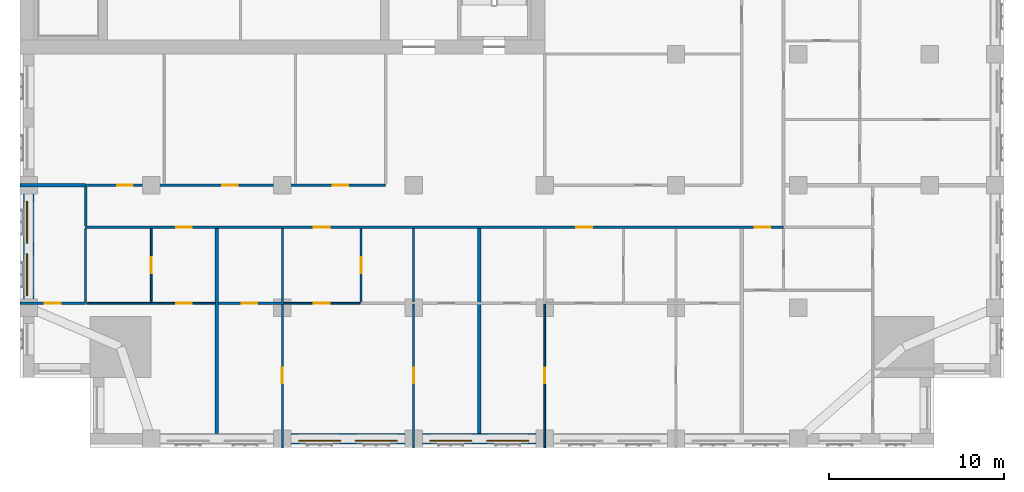
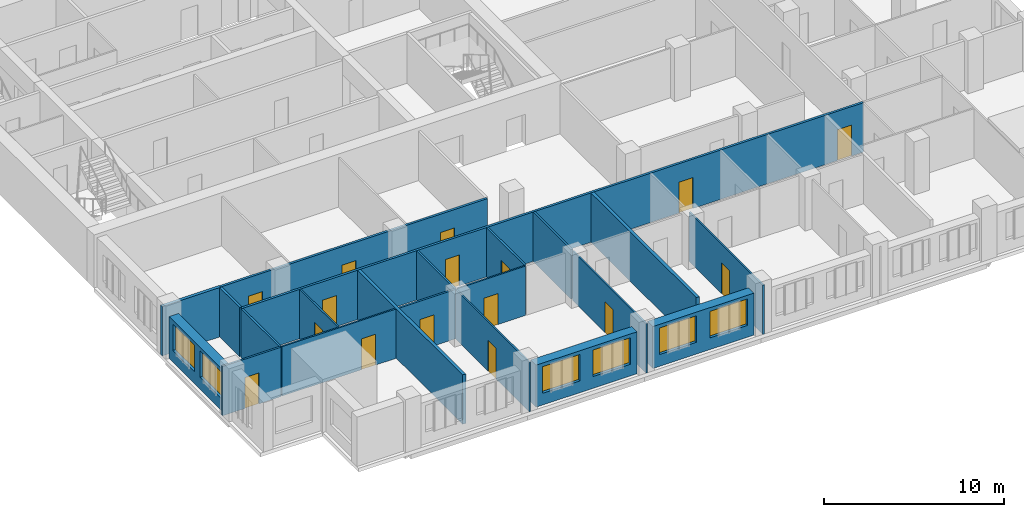
# One storey, part 4 of 13: 21 walls, 16 doors, 6 windows, 22 openings.
"""IFC4 building model written with IfcOpenShell, lengths in metres."""

from ifc_helpers import new_model, si_unit, direction, frame, frame_2d, origin, place, context, subcontext, project, spatial, rectangle, extrude, material, layer, layer_set, type_object, element, fill, save


model = new_model("IFC4")

# Units and contexts
model_context = context("Model", 3, precision=1e-05, world=origin(), true_north=direction((0.0, 1.0)))
body_context = subcontext(model_context, "Body", "Model", "MODEL_VIEW")
ifc_project = project(units=[si_unit("LENGTHUNIT", "METRE"), si_unit("AREAUNIT", "SQUARE_METRE"), si_unit("VOLUMEUNIT", "CUBIC_METRE"), si_unit("PLANEANGLEUNIT", "RADIAN"), si_unit("MASSUNIT", "GRAM", prefix="KILO")], contexts=[model_context])

# Site, building, storey
site_placement = place(None, origin())
site = spatial("IfcSite", under=ifc_project, at=site_placement, CompositionType="ELEMENT")
building_placement = place(site_placement, origin())
building = spatial("IfcBuilding", under=site, at=building_placement, Name="Tamorin Gate", CompositionType="ELEMENT")
storey_placement = place(building_placement, frame((0.0, 0.0, 159.0)))
storey = spatial("IfcBuildingStorey", under=building, at=storey_placement, Name="L39", CompositionType="ELEMENT", Elevation=159.0)

# Wall, openings, windows
ifc_material_1 = material(Name="Precast concrete C40/50", Category="concrete")
ifc_layer_1 = layer(ifc_material_1, 0.60009765625)
ifc_layer_set_1 = layer_set([ifc_layer_1], Name="Precast concrete C40/50")
wall_type_1 = type_object("IfcWallType", Name="Board-marked concrete facade panel 600", PredefinedType="SOLIDWALL", material=ifc_layer_set_1)
wall_1_placement = place(storey_placement, frame((45.5, 38.0, 0.0), z_axis=(0.0, 0.0, 1.0), x_axis=(1.0, 0.0, 0.0)))
wall_1 = element("IfcWall", 1, at=wall_1_placement, inside=storey, type_object=wall_type_1, Name="Facade panel", PredefinedType="SOLIDWALL", context=body_context, shape_type="SweptSolid", body=[
    extrude(rectangle(XDim=6.5, YDim=0.60009765625, at=frame_2d((3.25, 0.0))), origin(), (0.0, 0.0, 1.0), 2.85009765625),
])
opening_1_placement = place(wall_1_placement, frame((0.425048828125, 0.0, 0.800048828125)))
opening_1 = element("IfcOpeningElement", 2, at=opening_1_placement, cuts=wall_1, Name="Opening WN1", PredefinedType="OPENING", context=body_context, shape_type="SweptSolid", body=[
    extrude(rectangle(XDim=2.39990234375, YDim=1.800048828125, at=frame_2d((1.199951171875, 0.89990234375))), frame((0.0, 0.31005859375, 0.0), z_axis=(0.0, -1.0, 0.0), x_axis=(1.0, 0.0, 0.0)), (0.0, 0.0, 1.0), 0.6201171875),
])
opening_2_placement = place(wall_1_placement, frame((3.675048828125, 0.0, 0.800048828125)))
opening_2 = element("IfcOpeningElement", 3, at=opening_2_placement, cuts=wall_1, Name="Opening WN1", PredefinedType="OPENING", context=body_context, shape_type="SweptSolid", body=[
    extrude(rectangle(XDim=2.39990234375, YDim=1.800048828125, at=frame_2d((1.199951171875, 0.89990234375))), frame((0.0, 0.31005859375, 0.0), z_axis=(0.0, -1.0, 0.0), x_axis=(1.0, 0.0, 0.0)), (0.0, 0.0, 1.0), 0.6201171875),
])
ifc_material_2 = material(Name="Clear glass in aluminium frame", Category="aluminium")
window_type = type_object("IfcWindowType", Name="Deep-set window 2400x1800", PartitioningType="SINGLE_PANEL", PredefinedType="WINDOW", material=ifc_material_2)
window_1_placement = place(opening_1_placement, origin())
window_1 = element("IfcWindow", 4, at=window_1_placement, inside=storey, type_object=window_type, Name="Deep-set window", OverallHeight=1.800048828125, OverallWidth=2.39990234375, PartitioningType="SINGLE_PANEL", PredefinedType="WINDOW", context=body_context, shape_type="SweptSolid", body=[
    extrude(rectangle(XDim=2.39990234375, YDim=1.800048828125, at=frame_2d((1.199951171875, 0.89990234375))), frame((0.0, -0.070068359375, 0.0), z_axis=(0.0, -1.0, 0.0), x_axis=(1.0, 0.0, 0.0)), (0.0, 0.0, 1.0), 0.06005859375),
])
fill(opening_1, window_1)
window_2_placement = place(opening_2_placement, origin())
window_2 = element("IfcWindow", 5, at=window_2_placement, inside=storey, type_object=window_type, Name="Deep-set window", OverallHeight=1.800048828125, OverallWidth=2.39990234375, PartitioningType="SINGLE_PANEL", PredefinedType="WINDOW", context=body_context, shape_type="SweptSolid", body=[
    extrude(rectangle(XDim=2.39990234375, YDim=1.800048828125, at=frame_2d((1.199951171875, 0.89990234375))), frame((0.0, -0.070068359375, 0.0), z_axis=(0.0, -1.0, 0.0), x_axis=(1.0, 0.0, 0.0)), (0.0, 0.0, 1.0), 0.06005859375),
])
fill(opening_2, window_2)

wall_2_placement = place(storey_placement, frame((53.0, 38.0, 0.0), z_axis=(0.0, 0.0, 1.0), x_axis=(1.0, 0.0, 0.0)))
wall_2 = element("IfcWall", 6, at=wall_2_placement, inside=storey, type_object=wall_type_1, Name="Facade panel", PredefinedType="SOLIDWALL", context=body_context, shape_type="SweptSolid", body=[
    extrude(rectangle(XDim=6.5, YDim=0.60009765625, at=frame_2d((3.25, 0.0))), origin(), (0.0, 0.0, 1.0), 2.85009765625),
])
opening_3_placement = place(wall_2_placement, frame((0.425048828125, 0.0, 0.800048828125)))
opening_3 = element("IfcOpeningElement", 7, at=opening_3_placement, cuts=wall_2, Name="Opening WN1", PredefinedType="OPENING", context=body_context, shape_type="SweptSolid", body=[
    extrude(rectangle(XDim=2.39990234375, YDim=1.800048828125, at=frame_2d((1.199951171875, 0.89990234375))), frame((0.0, 0.31005859375, 0.0), z_axis=(0.0, -1.0, 0.0), x_axis=(1.0, 0.0, 0.0)), (0.0, 0.0, 1.0), 0.6201171875),
])
opening_4_placement = place(wall_2_placement, frame((3.675048828125, 0.0, 0.800048828125)))
opening_4 = element("IfcOpeningElement", 8, at=opening_4_placement, cuts=wall_2, Name="Opening WN1", PredefinedType="OPENING", context=body_context, shape_type="SweptSolid", body=[
    extrude(rectangle(XDim=2.39990234375, YDim=1.800048828125, at=frame_2d((1.199951171875, 0.89990234375))), frame((0.0, 0.31005859375, 0.0), z_axis=(0.0, -1.0, 0.0), x_axis=(1.0, 0.0, 0.0)), (0.0, 0.0, 1.0), 0.6201171875),
])
window_3_placement = place(opening_3_placement, origin())
window_3 = element("IfcWindow", 9, at=window_3_placement, inside=storey, type_object=window_type, Name="Deep-set window", OverallHeight=1.800048828125, OverallWidth=2.39990234375, PartitioningType="SINGLE_PANEL", PredefinedType="WINDOW", context=body_context, shape_type="SweptSolid", body=[
    extrude(rectangle(XDim=2.39990234375, YDim=1.800048828125, at=frame_2d((1.199951171875, 0.89990234375))), frame((0.0, -0.070068359375, 0.0), z_axis=(0.0, -1.0, 0.0), x_axis=(1.0, 0.0, 0.0)), (0.0, 0.0, 1.0), 0.06005859375),
])
fill(opening_3, window_3)
window_4_placement = place(opening_4_placement, origin())
window_4 = element("IfcWindow", 10, at=window_4_placement, inside=storey, type_object=window_type, Name="Deep-set window", OverallHeight=1.800048828125, OverallWidth=2.39990234375, PartitioningType="SINGLE_PANEL", PredefinedType="WINDOW", context=body_context, shape_type="SweptSolid", body=[
    extrude(rectangle(XDim=2.39990234375, YDim=1.800048828125, at=frame_2d((1.199951171875, 0.89990234375))), frame((0.0, -0.070068359375, 0.0), z_axis=(0.0, -1.0, 0.0), x_axis=(1.0, 0.0, 0.0)), (0.0, 0.0, 1.0), 0.06005859375),
])
fill(opening_4, window_4)

wall_3_placement = place(storey_placement, frame((30.5, 52.0, 0.0), z_axis=(0.0, 0.0, 1.0), x_axis=(0.0, -1.0, 0.0)))
wall_3 = element("IfcWall", 11, at=wall_3_placement, inside=storey, type_object=wall_type_1, Name="Facade panel", PredefinedType="SOLIDWALL", context=body_context, shape_type="SweptSolid", body=[
    extrude(rectangle(XDim=6.0, YDim=0.60009765625, at=frame_2d((3.0, 0.0))), origin(), (0.0, 0.0, 1.0), 2.85009765625),
])
opening_5_placement = place(wall_3_placement, frame((3.425048828125, 0.0, 0.800048828125)))
opening_5 = element("IfcOpeningElement", 12, at=opening_5_placement, cuts=wall_3, Name="Opening WN1", PredefinedType="OPENING", context=body_context, shape_type="SweptSolid", body=[
    extrude(rectangle(XDim=2.39990234375, YDim=1.800048828125, at=frame_2d((1.199951171875, 0.89990234375))), frame((0.0, 0.31005859375, 0.0), z_axis=(0.0, -1.0, 0.0), x_axis=(1.0, 0.0, 0.0)), (0.0, 0.0, 1.0), 0.6201171875),
])
opening_6_placement = place(wall_3_placement, frame((0.425048828125, 0.0, 0.800048828125)))
opening_6 = element("IfcOpeningElement", 13, at=opening_6_placement, cuts=wall_3, Name="Opening WN1", PredefinedType="OPENING", context=body_context, shape_type="SweptSolid", body=[
    extrude(rectangle(XDim=2.39990234375, YDim=1.800048828125, at=frame_2d((1.199951171875, 0.89990234375))), frame((0.0, 0.31005859375, 0.0), z_axis=(0.0, -1.0, 0.0), x_axis=(1.0, 0.0, 0.0)), (0.0, 0.0, 1.0), 0.6201171875),
])
window_5_placement = place(opening_5_placement, origin())
window_5 = element("IfcWindow", 14, at=window_5_placement, inside=storey, type_object=window_type, Name="Deep-set window", OverallHeight=1.800048828125, OverallWidth=2.39990234375, PartitioningType="SINGLE_PANEL", PredefinedType="WINDOW", context=body_context, shape_type="SweptSolid", body=[
    extrude(rectangle(XDim=2.39990234375, YDim=1.800048828125, at=frame_2d((1.199951171875, 0.89990234375))), frame((0.0, -0.070068359375, 0.0), z_axis=(0.0, -1.0, 0.0), x_axis=(1.0, 0.0, 0.0)), (0.0, 0.0, 1.0), 0.06005859375),
])
fill(opening_5, window_5)
window_6_placement = place(opening_6_placement, origin())
window_6 = element("IfcWindow", 15, at=window_6_placement, inside=storey, type_object=window_type, Name="Deep-set window", OverallHeight=1.800048828125, OverallWidth=2.39990234375, PartitioningType="SINGLE_PANEL", PredefinedType="WINDOW", context=body_context, shape_type="SweptSolid", body=[
    extrude(rectangle(XDim=2.39990234375, YDim=1.800048828125, at=frame_2d((1.199951171875, 0.89990234375))), frame((0.0, -0.070068359375, 0.0), z_axis=(0.0, -1.0, 0.0), x_axis=(1.0, 0.0, 0.0)), (0.0, 0.0, 1.0), 0.06005859375),
])
fill(opening_6, window_6)

# Wall, openings, doors
ifc_material_3 = material(Name="Gypsum board partition")
ifc_layer_2 = layer(ifc_material_3, 0.14990234375)
ifc_layer_set_2 = layer_set([ifc_layer_2], Name="Corridor wall 150")
wall_type_2 = type_object("IfcWallType", Name="Corridor wall 150", PredefinedType="PARTITIONING", material=ifc_layer_set_2)
wall_4_placement = place(storey_placement, frame((33.75, 50.10009765625, 0.0), z_axis=(0.0, 0.0, 1.0), x_axis=(1.0, 0.0, 0.0)))
wall_4 = element("IfcWall", 16, at=wall_4_placement, inside=storey, type_object=wall_type_2, Name="Corridor wall 150", PredefinedType="PARTITIONING", context=body_context, shape_type="SweptSolid", body=[
    extrude(rectangle(XDim=39.89990234375, YDim=0.14990234375, at=frame_2d((19.949951171875, 0.0))), origin(), (0.0, 0.0, 1.0), 3.35009765625),
])
opening_7_placement = place(wall_4_placement, frame((5.175048828125, 0.0, 0.0)))
opening_7 = element("IfcOpeningElement", 17, at=opening_7_placement, cuts=wall_4, Name="Opening DS1003", PredefinedType="OPENING", context=body_context, shape_type="SweptSolid", body=[
    extrude(rectangle(XDim=0.89990234375, YDim=2.10009765625, at=frame_2d((0.449951171875, 1.050048828125))), frame((0.0, 0.0849609375, 0.0), z_axis=(0.0, -1.0, 0.0), x_axis=(1.0, 0.0, 0.0)), (0.0, 0.0, 1.0), 0.169921875),
])
opening_8_placement = place(wall_4_placement, frame((13.050048828125, 0.0, 0.0)))
opening_8 = element("IfcOpeningElement", 18, at=opening_8_placement, cuts=wall_4, Name="Opening DS1006", PredefinedType="OPENING", context=body_context, shape_type="SweptSolid", body=[
    extrude(rectangle(XDim=0.89990234375, YDim=2.10009765625, at=frame_2d((0.449951171875, 1.050048828125))), frame((0.0, 0.0849609375, 0.0), z_axis=(0.0, -1.0, 0.0), x_axis=(1.0, 0.0, 0.0)), (0.0, 0.0, 1.0), 0.169921875),
])
opening_9_placement = place(wall_4_placement, frame((28.050048828125, 0.0, 0.0)))
opening_9 = element("IfcOpeningElement", 19, at=opening_9_placement, cuts=wall_4, Name="Opening DS1013", PredefinedType="OPENING", context=body_context, shape_type="SweptSolid", body=[
    extrude(rectangle(XDim=0.89990234375, YDim=2.10009765625, at=frame_2d((0.449951171875, 1.050048828125))), frame((0.0, 0.0849609375, 0.0), z_axis=(0.0, -1.0, 0.0), x_axis=(1.0, 0.0, 0.0)), (0.0, 0.0, 1.0), 0.169921875),
])
opening_10_placement = place(wall_4_placement, frame((38.25, 0.0, 0.0)))
opening_10 = element("IfcOpeningElement", 20, at=opening_10_placement, cuts=wall_4, Name="Opening DS1051", PredefinedType="OPENING", context=body_context, shape_type="SweptSolid", body=[
    extrude(rectangle(XDim=0.89990234375, YDim=2.10009765625, at=frame_2d((0.449951171875, 1.050048828125))), frame((0.0, 0.0849609375, 0.0), z_axis=(0.0, -1.0, 0.0), x_axis=(1.0, 0.0, 0.0)), (0.0, 0.0, 1.0), 0.169921875),
])
ifc_material_4 = material(Name="Timber door leaf", Category="wood")
door_type_1 = type_object("IfcDoorType", Name="Door 900 x 2100 FD30S", OperationType="NOTDEFINED", PredefinedType="DOOR", material=ifc_material_4)
door_1_placement = place(opening_7_placement, origin())
door_1 = element("IfcDoor", 21, at=door_1_placement, inside=storey, type_object=door_type_1, Name="Door DS1003", OperationType="SINGLE_SWING_RIGHT", OverallHeight=2.10009765625, OverallWidth=0.89990234375, PredefinedType="DOOR", context=body_context, shape_type="SweptSolid", body=[
    extrude(rectangle(XDim=0.89990234375, YDim=2.10009765625, at=frame_2d((0.449951171875, 1.050048828125))), frame((0.0, 0.02490234375, 0.0), z_axis=(0.0, -1.0, 0.0), x_axis=(1.0, 0.0, 0.0)), (0.0, 0.0, 1.0), 0.050048828125),
])
fill(opening_7, door_1)
door_2_placement = place(opening_8_placement, origin())
door_2 = element("IfcDoor", 22, at=door_2_placement, inside=storey, type_object=door_type_1, Name="Door DS1006", OperationType="SINGLE_SWING_RIGHT", OverallHeight=2.10009765625, OverallWidth=0.89990234375, PredefinedType="DOOR", context=body_context, shape_type="SweptSolid", body=[
    extrude(rectangle(XDim=0.89990234375, YDim=2.10009765625, at=frame_2d((0.449951171875, 1.050048828125))), frame((0.0, 0.02490234375, 0.0), z_axis=(0.0, -1.0, 0.0), x_axis=(1.0, 0.0, 0.0)), (0.0, 0.0, 1.0), 0.050048828125),
])
fill(opening_8, door_2)
door_3_placement = place(opening_9_placement, origin())
door_3 = element("IfcDoor", 23, at=door_3_placement, inside=storey, type_object=door_type_1, Name="Door DS1013", OperationType="SINGLE_SWING_RIGHT", OverallHeight=2.10009765625, OverallWidth=0.89990234375, PredefinedType="DOOR", context=body_context, shape_type="SweptSolid", body=[
    extrude(rectangle(XDim=0.89990234375, YDim=2.10009765625, at=frame_2d((0.449951171875, 1.050048828125))), frame((0.0, 0.02490234375, 0.0), z_axis=(0.0, -1.0, 0.0), x_axis=(1.0, 0.0, 0.0)), (0.0, 0.0, 1.0), 0.050048828125),
])
fill(opening_9, door_3)
door_4_placement = place(opening_10_placement, origin())
door_4 = element("IfcDoor", 24, at=door_4_placement, inside=storey, type_object=door_type_1, Name="Door DS1051", OperationType="SINGLE_SWING_LEFT", OverallHeight=2.10009765625, OverallWidth=0.89990234375, PredefinedType="DOOR", context=body_context, shape_type="SweptSolid", body=[
    extrude(rectangle(XDim=0.89990234375, YDim=2.10009765625, at=frame_2d((0.449951171875, 1.050048828125))), frame((0.0, 0.02490234375, 0.0), z_axis=(0.0, -1.0, 0.0), x_axis=(1.0, 0.0, 0.0)), (0.0, 0.0, 1.0), 0.050048828125),
])
fill(opening_10, door_4)

wall_5_placement = place(storey_placement, frame((33.75, 52.5, 0.0), z_axis=(0.0, 0.0, 1.0), x_axis=(1.0, 0.0, 0.0)))
wall_5 = element("IfcWall", 25, at=wall_5_placement, inside=storey, type_object=wall_type_2, Name="Corridor wall 150", PredefinedType="PARTITIONING", context=body_context, shape_type="SweptSolid", body=[
    extrude(rectangle(XDim=17.14990234375, YDim=0.14990234375, at=frame_2d((8.574951171875, 0.0))), origin(), (0.0, 0.0, 1.0), 3.35009765625),
])
opening_11_placement = place(wall_5_placement, frame((1.800048828125, 0.0, 0.0)))
opening_11 = element("IfcOpeningElement", 26, at=opening_11_placement, cuts=wall_5, Name="Opening DS1063", PredefinedType="OPENING", context=body_context, shape_type="SweptSolid", body=[
    extrude(rectangle(XDim=0.89990234375, YDim=2.10009765625, at=frame_2d((0.449951171875, 1.050048828125))), frame((0.0, 0.0849609375, 0.0), z_axis=(0.0, -1.0, 0.0), x_axis=(1.0, 0.0, 0.0)), (0.0, 0.0, 1.0), 0.169921875),
])
opening_12_placement = place(wall_5_placement, frame((7.800048828125, 0.0, 0.0)))
opening_12 = element("IfcOpeningElement", 27, at=opening_12_placement, cuts=wall_5, Name="Opening DS1064", PredefinedType="OPENING", context=body_context, shape_type="SweptSolid", body=[
    extrude(rectangle(XDim=0.89990234375, YDim=2.10009765625, at=frame_2d((0.449951171875, 1.050048828125))), frame((0.0, 0.0849609375, 0.0), z_axis=(0.0, -1.0, 0.0), x_axis=(1.0, 0.0, 0.0)), (0.0, 0.0, 1.0), 0.169921875),
])
opening_13_placement = place(wall_5_placement, frame((14.125, 0.0, 0.0)))
opening_13 = element("IfcOpeningElement", 28, at=opening_13_placement, cuts=wall_5, Name="Opening DS1065", PredefinedType="OPENING", context=body_context, shape_type="SweptSolid", body=[
    extrude(rectangle(XDim=0.89990234375, YDim=2.10009765625, at=frame_2d((0.449951171875, 1.050048828125))), frame((0.0, 0.0849609375, 0.0), z_axis=(0.0, -1.0, 0.0), x_axis=(1.0, 0.0, 0.0)), (0.0, 0.0, 1.0), 0.169921875),
])
door_5_placement = place(opening_11_placement, origin())
door_5 = element("IfcDoor", 29, at=door_5_placement, inside=storey, type_object=door_type_1, Name="Door DS1063", OperationType="SINGLE_SWING_LEFT", OverallHeight=2.10009765625, OverallWidth=0.89990234375, PredefinedType="DOOR", context=body_context, shape_type="SweptSolid", body=[
    extrude(rectangle(XDim=0.89990234375, YDim=2.10009765625, at=frame_2d((0.449951171875, 1.050048828125))), frame((0.0, 0.02490234375, 0.0), z_axis=(0.0, -1.0, 0.0), x_axis=(1.0, 0.0, 0.0)), (0.0, 0.0, 1.0), 0.050048828125),
])
fill(opening_11, door_5)
door_6_placement = place(opening_12_placement, origin())
door_6 = element("IfcDoor", 30, at=door_6_placement, inside=storey, type_object=door_type_1, Name="Door DS1064", OperationType="SINGLE_SWING_LEFT", OverallHeight=2.10009765625, OverallWidth=0.89990234375, PredefinedType="DOOR", context=body_context, shape_type="SweptSolid", body=[
    extrude(rectangle(XDim=0.89990234375, YDim=2.10009765625, at=frame_2d((0.449951171875, 1.050048828125))), frame((0.0, 0.02490234375, 0.0), z_axis=(0.0, -1.0, 0.0), x_axis=(1.0, 0.0, 0.0)), (0.0, 0.0, 1.0), 0.050048828125),
])
fill(opening_12, door_6)
door_7_placement = place(opening_13_placement, origin())
door_7 = element("IfcDoor", 31, at=door_7_placement, inside=storey, type_object=door_type_1, Name="Door DS1065", OperationType="SINGLE_SWING_LEFT", OverallHeight=2.10009765625, OverallWidth=0.89990234375, PredefinedType="DOOR", context=body_context, shape_type="SweptSolid", body=[
    extrude(rectangle(XDim=0.89990234375, YDim=2.10009765625, at=frame_2d((0.449951171875, 1.050048828125))), frame((0.0, 0.02490234375, 0.0), z_axis=(0.0, -1.0, 0.0), x_axis=(1.0, 0.0, 0.0)), (0.0, 0.0, 1.0), 0.050048828125),
])
fill(opening_13, door_7)

# Walls
wall_6_placement = place(storey_placement, frame((33.75, 50.175048828125, 0.0), z_axis=(0.0, 0.0, 1.0), x_axis=(0.0, 1.0, 0.0)))
element("IfcWall", 32, at=wall_6_placement, inside=storey, type_object=wall_type_2, Name="Corridor wall 150", PredefinedType="PARTITIONING", context=body_context, shape_type="SweptSolid", body=[
    extrude(rectangle(XDim=2.224853515625, YDim=0.14990234375, at=frame_2d((1.1123046875, 0.0))), origin(), (0.0, 0.0, 1.0), 3.35009765625),
])
ifc_layer_3 = layer(ifc_material_3, 0.199951171875)
ifc_layer_set_3 = layer_set([ifc_layer_3], Name="Demising wall 200")
wall_type_3 = type_object("IfcWallType", Name="Demising wall 200", PredefinedType="PARTITIONING", material=ifc_layer_set_3)
wall_7_placement = place(storey_placement, frame((30.0, 52.5, 0.0), z_axis=(0.0, 0.0, 1.0), x_axis=(1.0, 0.0, 0.0)))
element("IfcWall", 33, at=wall_7_placement, inside=storey, type_object=wall_type_3, Name="Demising wall 200", PredefinedType="PARTITIONING", context=body_context, shape_type="SweptSolid", body=[
    extrude(rectangle(XDim=3.75, YDim=0.199951171875, at=frame_2d((1.875, 0.0))), origin(), (0.0, 0.0, 1.0), 3.35009765625),
])
for number, where, z_axis, x_axis, name in (
    (34, (41.25, 38.31005859375, 0.0), (0.0, 0.0, 1.0), (0.0, 1.0, 0.0), "Demising wall 200"),
    (35, (56.25, 38.31005859375, 0.0), (0.0, 0.0, 1.0), (0.0, 1.0, 0.0), "Demising wall 200"),
):
    element("IfcWall", number, at=place(storey_placement, frame(where, z_axis=z_axis, x_axis=x_axis)), inside=storey, type_object=wall_type_3, Name=name, PredefinedType="PARTITIONING", context=body_context, shape_type="SweptSolid", body=[
        extrude(rectangle(XDim=11.71484375, YDim=0.199951171875, at=frame_2d((5.857421875, 0.0))), origin(), (0.0, 0.0, 1.0), 3.35009765625),
    ])

# Wall, opening, door
ifc_layer_4 = layer(ifc_material_3, 0.10009765625)
ifc_layer_set_4 = layer_set([ifc_layer_4], Name="Room partition 100")
wall_type_4 = type_object("IfcWallType", Name="Room partition 100", PredefinedType="PARTITIONING", material=ifc_layer_set_4)
wall_8_placement = place(storey_placement, frame((33.8125, 45.75, 0.0), z_axis=(0.0, 0.0, 1.0), x_axis=(1.0, 0.0, 0.0)))
wall_8 = element("IfcWall", 36, at=wall_8_placement, inside=storey, type_object=wall_type_4, Name="Room partition 100", PredefinedType="PARTITIONING", context=body_context, shape_type="SweptSolid", body=[
    extrude(rectangle(XDim=7.33740234375, YDim=0.10009765625, at=frame_2d((3.668701171875, 0.0))), origin(), (0.0, 0.0, 1.0), 3.35009765625),
])
opening_14_placement = place(wall_8_placement, frame((5.112548828125, 0.0, 0.0)))
opening_14 = element("IfcOpeningElement", 37, at=opening_14_placement, cuts=wall_8, Name="Opening DS1004", PredefinedType="OPENING", context=body_context, shape_type="SweptSolid", body=[
    extrude(rectangle(XDim=0.89990234375, YDim=2.10009765625, at=frame_2d((0.449951171875, 1.050048828125))), frame((0.0, 0.06005859375, 0.0), z_axis=(0.0, -1.0, 0.0), x_axis=(1.0, 0.0, 0.0)), (0.0, 0.0, 1.0), 0.1201171875),
])
door_type_2 = type_object("IfcDoorType", Name="Door 900 x 2100", OperationType="NOTDEFINED", PredefinedType="DOOR", material=ifc_material_4)
door_8_placement = place(opening_14_placement, origin())
door_8 = element("IfcDoor", 38, at=door_8_placement, inside=storey, type_object=door_type_2, Name="Door DS1004", OperationType="SINGLE_SWING_LEFT", OverallHeight=2.10009765625, OverallWidth=0.89990234375, PredefinedType="DOOR", context=body_context, shape_type="SweptSolid", body=[
    extrude(rectangle(XDim=0.89990234375, YDim=2.10009765625, at=frame_2d((0.449951171875, 1.050048828125))), frame((0.0, 0.02490234375, 0.0), z_axis=(0.0, -1.0, 0.0), x_axis=(1.0, 0.0, 0.0)), (0.0, 0.0, 1.0), 0.050048828125),
])
fill(opening_14, door_8)

wall_9_placement = place(storey_placement, frame((45.0625, 45.75, 0.0), z_axis=(0.0, 0.0, 1.0), x_axis=(1.0, 0.0, 0.0)))
wall_9 = element("IfcWall", 39, at=wall_9_placement, inside=storey, type_object=wall_type_4, Name="Room partition 100", PredefinedType="PARTITIONING", context=body_context, shape_type="SweptSolid", body=[
    extrude(rectangle(XDim=4.375, YDim=0.10009765625, at=frame_2d((2.1875, 0.0))), origin(), (0.0, 0.0, 1.0), 3.35009765625),
])
opening_15_placement = place(wall_9_placement, frame((1.737548828125, 0.0, 0.0)))
opening_15 = element("IfcOpeningElement", 40, at=opening_15_placement, cuts=wall_9, Name="Opening DS1007", PredefinedType="OPENING", context=body_context, shape_type="SweptSolid", body=[
    extrude(rectangle(XDim=0.89990234375, YDim=2.10009765625, at=frame_2d((0.449951171875, 1.050048828125))), frame((0.0, 0.06005859375, 0.0), z_axis=(0.0, -1.0, 0.0), x_axis=(1.0, 0.0, 0.0)), (0.0, 0.0, 1.0), 0.1201171875),
])
door_9_placement = place(opening_15_placement, origin())
door_9 = element("IfcDoor", 41, at=door_9_placement, inside=storey, type_object=door_type_2, Name="Door DS1007", OperationType="SINGLE_SWING_LEFT", OverallHeight=2.10009765625, OverallWidth=0.89990234375, PredefinedType="DOOR", context=body_context, shape_type="SweptSolid", body=[
    extrude(rectangle(XDim=0.89990234375, YDim=2.10009765625, at=frame_2d((0.449951171875, 1.050048828125))), frame((0.0, 0.02490234375, 0.0), z_axis=(0.0, -1.0, 0.0), x_axis=(1.0, 0.0, 0.0)), (0.0, 0.0, 1.0), 0.050048828125),
])
fill(opening_15, door_9)

wall_10_placement = place(storey_placement, frame((37.5, 45.800048828125, 0.0), z_axis=(0.0, 0.0, 1.0), x_axis=(0.0, 1.0, 0.0)))
wall_10 = element("IfcWall", 42, at=wall_10_placement, inside=storey, type_object=wall_type_4, Name="Room partition 100", PredefinedType="PARTITIONING", context=body_context, shape_type="SweptSolid", body=[
    extrude(rectangle(XDim=4.224853515625, YDim=0.10009765625, at=frame_2d((2.1123046875, 0.0))), origin(), (0.0, 0.0, 1.0), 3.35009765625),
])
opening_16_placement = place(wall_10_placement, frame((1.675048828125, 0.0, 0.0)))
opening_16 = element("IfcOpeningElement", 43, at=opening_16_placement, cuts=wall_10, Name="Opening DS1002", PredefinedType="OPENING", context=body_context, shape_type="SweptSolid", body=[
    extrude(rectangle(XDim=0.89990234375, YDim=2.10009765625, at=frame_2d((0.449951171875, 1.050048828125))), frame((0.0, 0.06005859375, 0.0), z_axis=(0.0, -1.0, 0.0), x_axis=(1.0, 0.0, 0.0)), (0.0, 0.0, 1.0), 0.1201171875),
])
door_10_placement = place(opening_16_placement, origin())
door_10 = element("IfcDoor", 44, at=door_10_placement, inside=storey, type_object=door_type_2, Name="Door DS1002", OperationType="SINGLE_SWING_RIGHT", OverallHeight=2.10009765625, OverallWidth=0.89990234375, PredefinedType="DOOR", context=body_context, shape_type="SweptSolid", body=[
    extrude(rectangle(XDim=0.89990234375, YDim=2.10009765625, at=frame_2d((0.449951171875, 1.050048828125))), frame((0.0, 0.02490234375, 0.0), z_axis=(0.0, -1.0, 0.0), x_axis=(1.0, 0.0, 0.0)), (0.0, 0.0, 1.0), 0.050048828125),
])
fill(opening_16, door_10)

wall_11_placement = place(storey_placement, frame((45.0, 37.5, 0.0), z_axis=(0.0, 0.0, 1.0), x_axis=(0.0, 1.0, 0.0)))
wall_11 = element("IfcWall", 45, at=wall_11_placement, inside=storey, type_object=wall_type_4, Name="Room partition 100", PredefinedType="PARTITIONING", context=body_context, shape_type="SweptSolid", body=[
    extrude(rectangle(XDim=8.1875, YDim=0.10009765625, at=frame_2d((4.09375, 0.0))), origin(), (0.0, 0.0, 1.0), 3.35009765625),
])
opening_17_placement = place(wall_11_placement, frame((3.675048828125, 0.0, 0.0)))
opening_17 = element("IfcOpeningElement", 46, at=opening_17_placement, cuts=wall_11, Name="Opening DS1010", PredefinedType="OPENING", context=body_context, shape_type="SweptSolid", body=[
    extrude(rectangle(XDim=0.89990234375, YDim=2.10009765625, at=frame_2d((0.449951171875, 1.050048828125))), frame((0.0, 0.06005859375, 0.0), z_axis=(0.0, -1.0, 0.0), x_axis=(1.0, 0.0, 0.0)), (0.0, 0.0, 1.0), 0.1201171875),
])
door_11_placement = place(opening_17_placement, origin())
door_11 = element("IfcDoor", 47, at=door_11_placement, inside=storey, type_object=door_type_2, Name="Door DS1010", OperationType="SINGLE_SWING_LEFT", OverallHeight=2.10009765625, OverallWidth=0.89990234375, PredefinedType="DOOR", context=body_context, shape_type="SweptSolid", body=[
    extrude(rectangle(XDim=0.89990234375, YDim=2.10009765625, at=frame_2d((0.449951171875, 1.050048828125))), frame((0.0, 0.02490234375, 0.0), z_axis=(0.0, -1.0, 0.0), x_axis=(1.0, 0.0, 0.0)), (0.0, 0.0, 1.0), 0.050048828125),
])
fill(opening_17, door_11)

wall_12_placement = place(storey_placement, frame((52.5, 37.5, 0.0), z_axis=(0.0, 0.0, 1.0), x_axis=(0.0, 1.0, 0.0)))
wall_12 = element("IfcWall", 48, at=wall_12_placement, inside=storey, type_object=wall_type_4, Name="Room partition 100", PredefinedType="PARTITIONING", context=body_context, shape_type="SweptSolid", body=[
    extrude(rectangle(XDim=8.1875, YDim=0.10009765625, at=frame_2d((4.09375, 0.0))), origin(), (0.0, 0.0, 1.0), 3.35009765625),
])
opening_18_placement = place(wall_12_placement, frame((3.675048828125, 0.0, 0.0)))
opening_18 = element("IfcOpeningElement", 49, at=opening_18_placement, cuts=wall_12, Name="Opening DS1011", PredefinedType="OPENING", context=body_context, shape_type="SweptSolid", body=[
    extrude(rectangle(XDim=0.89990234375, YDim=2.10009765625, at=frame_2d((0.449951171875, 1.050048828125))), frame((0.0, 0.06005859375, 0.0), z_axis=(0.0, -1.0, 0.0), x_axis=(1.0, 0.0, 0.0)), (0.0, 0.0, 1.0), 0.1201171875),
])
door_12_placement = place(opening_18_placement, origin())
door_12 = element("IfcDoor", 50, at=door_12_placement, inside=storey, type_object=door_type_2, Name="Door DS1011", OperationType="SINGLE_SWING_LEFT", OverallHeight=2.10009765625, OverallWidth=0.89990234375, PredefinedType="DOOR", context=body_context, shape_type="SweptSolid", body=[
    extrude(rectangle(XDim=0.89990234375, YDim=2.10009765625, at=frame_2d((0.449951171875, 1.050048828125))), frame((0.0, 0.02490234375, 0.0), z_axis=(0.0, -1.0, 0.0), x_axis=(1.0, 0.0, 0.0)), (0.0, 0.0, 1.0), 0.050048828125),
])
fill(opening_18, door_12)

wall_13_placement = place(storey_placement, frame((60.0, 37.5, 0.0), z_axis=(0.0, 0.0, 1.0), x_axis=(0.0, 1.0, 0.0)))
wall_13 = element("IfcWall", 51, at=wall_13_placement, inside=storey, type_object=wall_type_4, Name="Room partition 100", PredefinedType="PARTITIONING", context=body_context, shape_type="SweptSolid", body=[
    extrude(rectangle(XDim=8.1875, YDim=0.10009765625, at=frame_2d((4.09375, 0.0))), origin(), (0.0, 0.0, 1.0), 3.35009765625),
])
opening_19_placement = place(wall_13_placement, frame((3.675048828125, 0.0, 0.0)))
opening_19 = element("IfcOpeningElement", 52, at=opening_19_placement, cuts=wall_13, Name="Opening DS1017", PredefinedType="OPENING", context=body_context, shape_type="SweptSolid", body=[
    extrude(rectangle(XDim=0.89990234375, YDim=2.10009765625, at=frame_2d((0.449951171875, 1.050048828125))), frame((0.0, 0.06005859375, 0.0), z_axis=(0.0, -1.0, 0.0), x_axis=(1.0, 0.0, 0.0)), (0.0, 0.0, 1.0), 0.1201171875),
])
door_13_placement = place(opening_19_placement, origin())
door_13 = element("IfcDoor", 53, at=door_13_placement, inside=storey, type_object=door_type_2, Name="Door DS1017", OperationType="SINGLE_SWING_LEFT", OverallHeight=2.10009765625, OverallWidth=0.89990234375, PredefinedType="DOOR", context=body_context, shape_type="SweptSolid", body=[
    extrude(rectangle(XDim=0.89990234375, YDim=2.10009765625, at=frame_2d((0.449951171875, 1.050048828125))), frame((0.0, 0.02490234375, 0.0), z_axis=(0.0, -1.0, 0.0), x_axis=(1.0, 0.0, 0.0)), (0.0, 0.0, 1.0), 0.050048828125),
])
fill(opening_19, door_13)

ifc_layer_5 = layer(ifc_material_3, 0.125)
ifc_layer_set_5 = layer_set([ifc_layer_5], Name="Wet wall 125")
wall_type_5 = type_object("IfcWallType", Name="Wet wall 125", PredefinedType="PARTITIONING", material=ifc_layer_set_5)
wall_14_placement = place(storey_placement, frame((30.0, 45.75, 0.0), z_axis=(0.0, 0.0, 1.0), x_axis=(1.0, 0.0, 0.0)))
wall_14 = element("IfcWall", 54, at=wall_14_placement, inside=storey, type_object=wall_type_5, Name="Wet wall 125", PredefinedType="PARTITIONING", context=body_context, shape_type="SweptSolid", body=[
    extrude(rectangle(XDim=3.75, YDim=0.125, at=frame_2d((1.875, 0.0))), origin(), (0.0, 0.0, 1.0), 3.35009765625),
])
opening_20_placement = place(wall_14_placement, frame((1.425048828125, 0.0, 0.0)))
opening_20 = element("IfcOpeningElement", 55, at=opening_20_placement, cuts=wall_14, Name="Opening DS1001", PredefinedType="OPENING", context=body_context, shape_type="SweptSolid", body=[
    extrude(rectangle(XDim=0.89990234375, YDim=2.10009765625, at=frame_2d((0.449951171875, 1.050048828125))), frame((0.0, 0.072509765625, 0.0), z_axis=(0.0, -1.0, 0.0), x_axis=(1.0, 0.0, 0.0)), (0.0, 0.0, 1.0), 0.14501953125),
])
door_14_placement = place(opening_20_placement, origin())
door_14 = element("IfcDoor", 56, at=door_14_placement, inside=storey, type_object=door_type_2, Name="Door DS1001", OperationType="SINGLE_SWING_LEFT", OverallHeight=2.10009765625, OverallWidth=0.89990234375, PredefinedType="DOOR", context=body_context, shape_type="SweptSolid", body=[
    extrude(rectangle(XDim=0.89990234375, YDim=2.10009765625, at=frame_2d((0.449951171875, 1.050048828125))), frame((0.0, 0.02490234375, 0.0), z_axis=(0.0, -1.0, 0.0), x_axis=(1.0, 0.0, 0.0)), (0.0, 0.0, 1.0), 0.050048828125),
])
fill(opening_20, door_14)

wall_15_placement = place(storey_placement, frame((41.35009765625, 45.75, 0.0), z_axis=(0.0, 0.0, 1.0), x_axis=(1.0, 0.0, 0.0)))
wall_15 = element("IfcWall", 57, at=wall_15_placement, inside=storey, type_object=wall_type_5, Name="Wet wall 125", PredefinedType="PARTITIONING", context=body_context, shape_type="SweptSolid", body=[
    extrude(rectangle(XDim=3.64990234375, YDim=0.125, at=frame_2d((1.824951171875, 0.0))), origin(), (0.0, 0.0, 1.0), 3.35009765625),
])
opening_21_placement = place(wall_15_placement, frame((1.324951171875, 0.0, 0.0)))
opening_21 = element("IfcOpeningElement", 58, at=opening_21_placement, cuts=wall_15, Name="Opening DS1005", PredefinedType="OPENING", context=body_context, shape_type="SweptSolid", body=[
    extrude(rectangle(XDim=0.89990234375, YDim=2.10009765625, at=frame_2d((0.449951171875, 1.050048828125))), frame((0.0, 0.072509765625, 0.0), z_axis=(0.0, -1.0, 0.0), x_axis=(1.0, 0.0, 0.0)), (0.0, 0.0, 1.0), 0.14501953125),
])
door_15_placement = place(opening_21_placement, origin())
door_15 = element("IfcDoor", 59, at=door_15_placement, inside=storey, type_object=door_type_2, Name="Door DS1005", OperationType="SINGLE_SWING_LEFT", OverallHeight=2.10009765625, OverallWidth=0.89990234375, PredefinedType="DOOR", context=body_context, shape_type="SweptSolid", body=[
    extrude(rectangle(XDim=0.89990234375, YDim=2.10009765625, at=frame_2d((0.449951171875, 1.050048828125))), frame((0.0, 0.02490234375, 0.0), z_axis=(0.0, -1.0, 0.0), x_axis=(1.0, 0.0, 0.0)), (0.0, 0.0, 1.0), 0.050048828125),
])
fill(opening_21, door_15)

# Walls
for number, where, z_axis, x_axis, name in (
    (60, (33.75, 45.8125, 0.0), (0.0, 0.0, 1.0), (0.0, 1.0, 0.0), "Wet wall 125"),
    (61, (45.0, 45.8125, 0.0), (0.0, 0.0, 1.0), (0.0, 1.0, 0.0), "Wet wall 125"),
):
    element("IfcWall", number, at=place(storey_placement, frame(where, z_axis=z_axis, x_axis=x_axis)), inside=storey, type_object=wall_type_5, Name=name, PredefinedType="PARTITIONING", context=body_context, shape_type="SweptSolid", body=[
        extrude(rectangle(XDim=4.21240234375, YDim=0.125, at=frame_2d((2.106201171875, 0.0))), origin(), (0.0, 0.0, 1.0), 3.35009765625),
    ])

# Wall, opening, door
wall_16_placement = place(storey_placement, frame((49.5, 45.8125, 0.0), z_axis=(0.0, 0.0, 1.0), x_axis=(0.0, 1.0, 0.0)))
wall_16 = element("IfcWall", 62, at=wall_16_placement, inside=storey, type_object=wall_type_5, Name="Wet wall 125", PredefinedType="PARTITIONING", context=body_context, shape_type="SweptSolid", body=[
    extrude(rectangle(XDim=4.21240234375, YDim=0.125, at=frame_2d((2.106201171875, 0.0))), origin(), (0.0, 0.0, 1.0), 3.35009765625),
])
opening_22_placement = place(wall_16_placement, frame((1.66259765625, 0.0, 0.0)))
opening_22 = element("IfcOpeningElement", 63, at=opening_22_placement, cuts=wall_16, Name="Opening DS1008", PredefinedType="OPENING", context=body_context, shape_type="SweptSolid", body=[
    extrude(rectangle(XDim=0.89990234375, YDim=2.10009765625, at=frame_2d((0.449951171875, 1.050048828125))), frame((0.0, 0.072509765625, 0.0), z_axis=(0.0, -1.0, 0.0), x_axis=(1.0, 0.0, 0.0)), (0.0, 0.0, 1.0), 0.14501953125),
])
door_16_placement = place(opening_22_placement, origin())
door_16 = element("IfcDoor", 64, at=door_16_placement, inside=storey, type_object=door_type_2, Name="Door DS1008", OperationType="SINGLE_SWING_LEFT", OverallHeight=2.10009765625, OverallWidth=0.89990234375, PredefinedType="DOOR", context=body_context, shape_type="SweptSolid", body=[
    extrude(rectangle(XDim=0.89990234375, YDim=2.10009765625, at=frame_2d((0.449951171875, 1.050048828125))), frame((0.0, 0.02490234375, 0.0), z_axis=(0.0, -1.0, 0.0), x_axis=(1.0, 0.0, 0.0)), (0.0, 0.0, 1.0), 0.050048828125),
])
fill(opening_22, door_16)

# Wall
wall_17_placement = place(storey_placement, frame((52.5, 45.8125, 0.0), z_axis=(0.0, 0.0, 1.0), x_axis=(0.0, 1.0, 0.0)))
element("IfcWall", 65, at=wall_17_placement, inside=storey, type_object=wall_type_5, Name="Wet wall 125", PredefinedType="PARTITIONING", context=body_context, shape_type="SweptSolid", body=[
    extrude(rectangle(XDim=4.21240234375, YDim=0.125, at=frame_2d((2.106201171875, 0.0))), origin(), (0.0, 0.0, 1.0), 3.35009765625),
])

save(model, "model.ifc")
